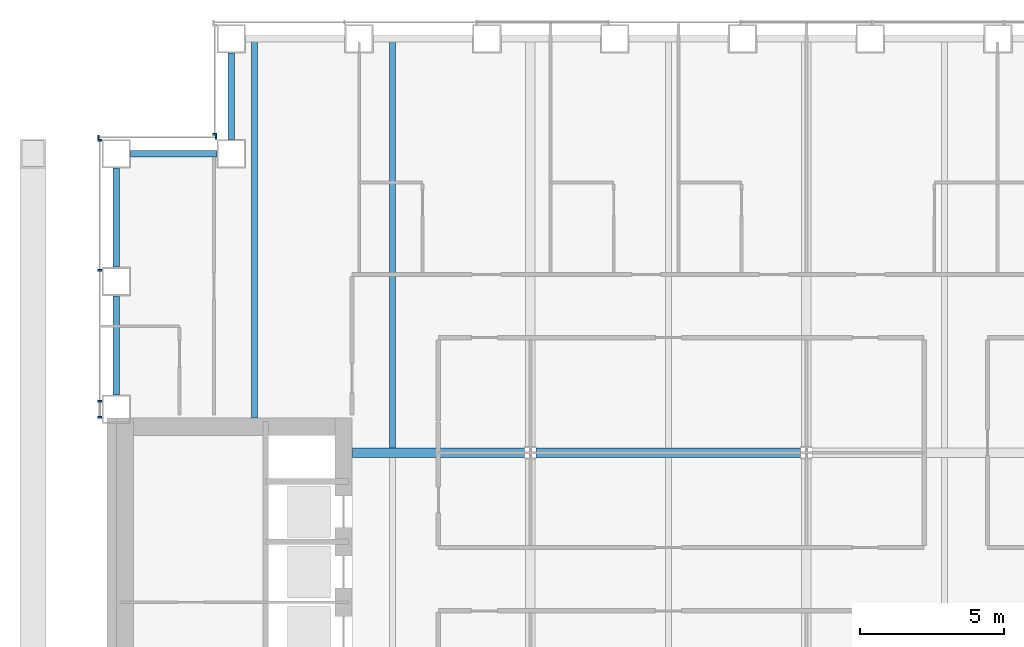
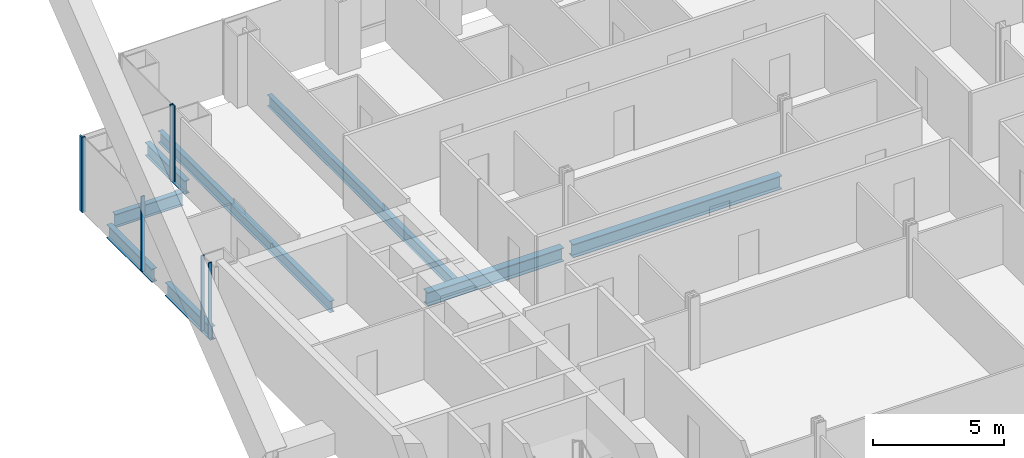
# One storey, part 7 of 23: 8 beams, 7 members, 3 elements without a shape of their own.
"""IFC4 building model written with IfcOpenShell, lengths in metres."""

from ifc_helpers import new_model, si_unit, direction, frame, origin, origin_2d, place, context, subcontext, project, spatial, rectangle, i_section, extrude, material, material_profile, profile_set, type_object, element, aggregate, save


model = new_model("IFC4")

# Units and contexts
model_context = context("Model", 3, precision=1e-05, world=origin(), true_north=direction((0.0, 1.0)))
body_context = subcontext(model_context, "Body", "Model", "MODEL_VIEW")
ifc_project = project(units=[si_unit("LENGTHUNIT", "METRE"), si_unit("AREAUNIT", "SQUARE_METRE"), si_unit("VOLUMEUNIT", "CUBIC_METRE"), si_unit("PLANEANGLEUNIT", "RADIAN"), si_unit("MASSUNIT", "GRAM", prefix="KILO")], contexts=[model_context])

# Site, building, storey
site_placement = place(None, origin())
site = spatial("IfcSite", under=ifc_project, at=site_placement, CompositionType="ELEMENT")
building_placement = place(site_placement, origin())
building = spatial("IfcBuilding", under=site, at=building_placement, Name="Cobrizo Arcos Hotel Tower", CompositionType="ELEMENT")
storey_placement = place(building_placement, frame((0.0, 0.0, 56.5)))
storey = spatial("IfcBuildingStorey", under=building, at=storey_placement, Name="L12", CompositionType="ELEMENT", Elevation=56.5)

# Curtain wall, member
ifc_material_1 = material(Name="Aluminium 6063-T6 anodised bronze", Category="aluminium")
curtain_wall_type = type_object("IfcCurtainWallType", Name="CW-A guest facade", PredefinedType="NOTDEFINED", material=ifc_material_1)
curtain_wall_1_placement = place(storey_placement, origin())
curtain_wall_1 = element("IfcCurtainWall", 1, at=curtain_wall_1_placement, inside=storey, type_object=curtain_wall_type, Name="CW-A L12 W face", PredefinedType="NOTDEFINED")
ifc_material_profile_1 = material_profile(ifc_material_1, rectangle(XDim=0.14990234375, YDim=0.06005859375, at=origin_2d()), Name="CW-A mullion 150x60")
ifc_profile_set_1 = profile_set([ifc_material_profile_1], Name="Aluminium 6063-T6 anodised bronze")
member_type = type_object("IfcMemberType", Name="CW-A mullion 150x60", PredefinedType="MULLION", material=ifc_profile_set_1)
member_1_placement = place(storey_placement, frame((-20.574951171875, 20.679931640625, 0.0), z_axis=(0.0, 0.0, 1.0), x_axis=(-1.0, 0.0, 0.0)))
member_1 = element("IfcMember", 2, at=member_1_placement, type_object=member_type, Name="CW-A mullion 2", PredefinedType="MULLION", context=body_context, shape_type="SweptSolid", body=[
    extrude(rectangle(XDim=0.14990234375, YDim=0.06005859375, at=origin_2d()), origin(), (0.0, 0.0, 1.0), 3.5),
])
aggregate(curtain_wall_1, [member_1])

# Curtain wall, members
curtain_wall_2_placement = place(storey_placement, origin())
curtain_wall_2 = element("IfcCurtainWall", 3, at=curtain_wall_2_placement, inside=storey, type_object=curtain_wall_type, Name="CW-A L12 N face", PredefinedType="NOTDEFINED")
member_2_placement = place(storey_placement, frame((-20.530029296875, 20.574951171875, 0.0), z_axis=(0.0, 0.0, 1.0), x_axis=(0.0, 1.0, 0.0)))
member_2 = element("IfcMember", 4, at=member_2_placement, type_object=member_type, Name="CW-A mullion 1", PredefinedType="MULLION", context=body_context, shape_type="SweptSolid", body=[
    extrude(rectangle(XDim=0.14990234375, YDim=0.06005859375, at=origin_2d()), origin(), (0.0, 0.0, 1.0), 3.5),
])
member_3_placement = place(storey_placement, frame((-24.6201171875, 20.574951171875, 0.0), z_axis=(0.0, 0.0, 1.0), x_axis=(0.0, 1.0, 0.0)))
member_3 = element("IfcMember", 5, at=member_3_placement, type_object=member_type, Name="CW-A mullion 2", PredefinedType="MULLION", context=body_context, shape_type="SweptSolid", body=[
    extrude(rectangle(XDim=0.14990234375, YDim=0.06005859375, at=origin_2d()), origin(), (0.0, 0.0, 1.0), 3.5),
])
aggregate(curtain_wall_2, [member_2, member_3])

curtain_wall_3_placement = place(storey_placement, origin())
curtain_wall_3 = element("IfcCurtainWall", 6, at=curtain_wall_3_placement, inside=storey, type_object=curtain_wall_type, Name="CW-A L12 W face", PredefinedType="NOTDEFINED")
member_4_placement = place(storey_placement, frame((-24.574951171875, 20.469970703125, 0.0), z_axis=(0.0, 0.0, 1.0), x_axis=(-1.0, 0.0, 0.0)))
member_4 = element("IfcMember", 7, at=member_4_placement, type_object=member_type, Name="CW-A mullion 1", PredefinedType="MULLION", context=body_context, shape_type="SweptSolid", body=[
    extrude(rectangle(XDim=0.14990234375, YDim=0.06005859375, at=origin_2d()), origin(), (0.0, 0.0, 1.0), 3.5),
])
member_5_placement = place(storey_placement, frame((-24.574951171875, 15.9443359375, 0.0), z_axis=(0.0, 0.0, 1.0), x_axis=(-1.0, 0.0, 0.0)))
member_5 = element("IfcMember", 8, at=member_5_placement, type_object=member_type, Name="CW-A mullion 2", PredefinedType="MULLION", context=body_context, shape_type="SweptSolid", body=[
    extrude(rectangle(XDim=0.14990234375, YDim=0.06005859375, at=origin_2d()), origin(), (0.0, 0.0, 1.0), 3.5),
])
member_6_placement = place(storey_placement, frame((-24.574951171875, 11.388916015625, 0.0), z_axis=(0.0, 0.0, 1.0), x_axis=(-1.0, 0.0, 0.0)))
member_6 = element("IfcMember", 9, at=member_6_placement, type_object=member_type, Name="CW-A mullion 3", PredefinedType="MULLION", context=body_context, shape_type="SweptSolid", body=[
    extrude(rectangle(XDim=0.14990234375, YDim=0.06005859375, at=origin_2d()), origin(), (0.0, 0.0, 1.0), 3.5),
])
member_7_placement = place(storey_placement, frame((-24.574951171875, 10.830078125, 0.0), z_axis=(0.0, 0.0, 1.0), x_axis=(-1.0, 0.0, 0.0)))
member_7 = element("IfcMember", 10, at=member_7_placement, type_object=member_type, Name="CW-A mullion 4", PredefinedType="MULLION", context=body_context, shape_type="SweptSolid", body=[
    extrude(rectangle(XDim=0.14990234375, YDim=0.06005859375, at=origin_2d()), origin(), (0.0, 0.0, 1.0), 3.5),
])
aggregate(curtain_wall_3, [member_4, member_5, member_6, member_7])

# Beams
ifc_material_2 = material(Name="Steel ASTM A992 Grade 50", Category="steel")
ifc_material_profile_2 = material_profile(ifc_material_2, i_section(OverallWidth=0.209228515625, OverallDepth=0.533447265625, WebThickness=0.01025390625, FlangeThickness=0.015625, at=origin_2d()), Name="W21X62")
ifc_profile_set_2 = profile_set([ifc_material_profile_2], Name="Steel ASTM A992 Grade 50")
beam_type_1 = type_object("IfcBeamType", Name="W21X62 joist", PredefinedType="JOIST", material=ifc_profile_set_2)
beam_1_placement = place(storey_placement, frame((-19.199951171875, 10.81005859375, -0.416748046875), z_axis=(0.0, 1.0, 0.0), x_axis=(-1.0, 0.0, 0.0)))
element("IfcBeam", 11, at=beam_1_placement, inside=storey, type_object=beam_type_1, Name="Floor joist J1, L12, no. 002", PredefinedType="JOIST", context=body_context, shape_type="SweptSolid", body=[
    extrude(i_section(OverallWidth=0.209228515625, OverallDepth=0.533447265625, WebThickness=0.01025390625, FlangeThickness=0.015625, at=origin_2d()), origin(), (0.0, 0.0, 1.0), 13.099853515625),
])
beam_2_placement = place(storey_placement, frame((-14.39990234375, 9.763916015625, -0.416748046875), z_axis=(0.0, 1.0, 0.0), x_axis=(-1.0, 0.0, 0.0)))
element("IfcBeam", 12, at=beam_2_placement, inside=storey, type_object=beam_type_1, Name="Floor joist J1, L12, no. 006", PredefinedType="JOIST", context=body_context, shape_type="SweptSolid", body=[
    extrude(i_section(OverallWidth=0.209228515625, OverallDepth=0.533447265625, WebThickness=0.01025390625, FlangeThickness=0.015625, at=origin_2d()), origin(), (0.0, 0.0, 1.0), 14.14599609375),
])
ifc_material_profile_3 = material_profile(ifc_material_2, i_section(OverallWidth=0.32763671875, OverallDepth=0.622314453125, WebThickness=0.015380859375, FlangeThickness=0.0244140625, at=origin_2d()), Name="W24X131")
ifc_profile_set_3 = profile_set([ifc_material_profile_3], Name="Steel ASTM A992 Grade 50")
beam_type_2 = type_object("IfcBeamType", Name="W24X131 girder", PredefinedType="BEAM", material=ifc_profile_set_3)
beam_3_placement = place(storey_placement, frame((-15.7900390625, 9.60009765625, -0.461181640625), z_axis=(1.0, 0.0, 0.0), x_axis=(0.0, 1.0, 0.0)))
element("IfcBeam", 13, at=beam_3_placement, inside=storey, type_object=beam_type_2, Name="Floor girder G1, L12, no. 009", PredefinedType="BEAM", context=body_context, shape_type="SweptSolid", body=[
    extrude(i_section(OverallWidth=0.32763671875, OverallDepth=0.622314453125, WebThickness=0.015380859375, FlangeThickness=0.0244140625, at=origin_2d()), origin(), (0.0, 0.0, 1.0), 5.985595703125),
])
beam_4_placement = place(storey_placement, frame((-9.3955078125, 9.60009765625, -0.461181640625), z_axis=(1.0, 0.0, 0.0), x_axis=(0.0, 1.0, 0.0)))
element("IfcBeam", 14, at=beam_4_placement, inside=storey, type_object=beam_type_2, Name="Floor girder G1, L12, no. 010", PredefinedType="BEAM", context=body_context, shape_type="SweptSolid", body=[
    extrude(i_section(OverallWidth=0.32763671875, OverallDepth=0.622314453125, WebThickness=0.015380859375, FlangeThickness=0.0244140625, at=origin_2d()), origin(), (0.0, 0.0, 1.0), 9.191162109375),
])
ifc_material_profile_4 = material_profile(ifc_material_2, i_section(OverallWidth=0.23046875, OverallDepth=0.6171875, WebThickness=0.01318359375, FlangeThickness=0.022216796875, at=origin_2d()), Name="W24X94")
ifc_profile_set_4 = profile_set([ifc_material_profile_4], Name="Steel ASTM A992 Grade 50")
beam_type_3 = type_object("IfcBeamType", Name="W24X94 spandrel", PredefinedType="SPANDREL", material=ifc_profile_set_4)
for number, where, z_axis, x_axis, name in (
    (15, (-20.0, 23.5, -0.45849609375), (0.0, -1.0, 0.0), (1.0, 0.0, 0.0), "Spandrel beam W24X94, L12, no. 027"),
    (16, (-20.5, 20.0, -0.45849609375), (-1.0, 0.0, 0.0), (0.0, -1.0, 0.0), "Spandrel beam W24X94, L12, no. 028"),
):
    element("IfcBeam", number, at=place(storey_placement, frame(where, z_axis=z_axis, x_axis=x_axis)), inside=storey, type_object=beam_type_3, Name=name, PredefinedType="SPANDREL", context=body_context, shape_type="SweptSolid", body=[
        extrude(i_section(OverallWidth=0.23046875, OverallDepth=0.6171875, WebThickness=0.01318359375, FlangeThickness=0.022216796875, at=origin_2d()), origin(), (0.0, 0.0, 1.0), 3.0),
    ])
beam_5_placement = place(storey_placement, frame((-24.0, 19.5, -0.45849609375), z_axis=(0.0, -1.0, 0.0), x_axis=(1.0, 0.0, 0.0)))
element("IfcBeam", 17, at=beam_5_placement, inside=storey, type_object=beam_type_3, Name="Spandrel beam W24X94, L12, no. 029", PredefinedType="SPANDREL", context=body_context, shape_type="SweptSolid", body=[
    extrude(i_section(OverallWidth=0.23046875, OverallDepth=0.6171875, WebThickness=0.01318359375, FlangeThickness=0.022216796875, at=origin_2d()), origin(), (0.0, 0.0, 1.0), 3.444091796875),
])
beam_6_placement = place(storey_placement, frame((-24.0, 15.055908203125, -0.45849609375), z_axis=(0.0, -1.0, 0.0), x_axis=(1.0, 0.0, 0.0)))
element("IfcBeam", 18, at=beam_6_placement, inside=storey, type_object=beam_type_3, Name="Spandrel beam W24X94, L12, no. 030", PredefinedType="SPANDREL", context=body_context, shape_type="SweptSolid", body=[
    extrude(i_section(OverallWidth=0.23046875, OverallDepth=0.6171875, WebThickness=0.01318359375, FlangeThickness=0.022216796875, at=origin_2d()), origin(), (0.0, 0.0, 1.0), 3.44482421875),
])

save(model, "model.ifc")
